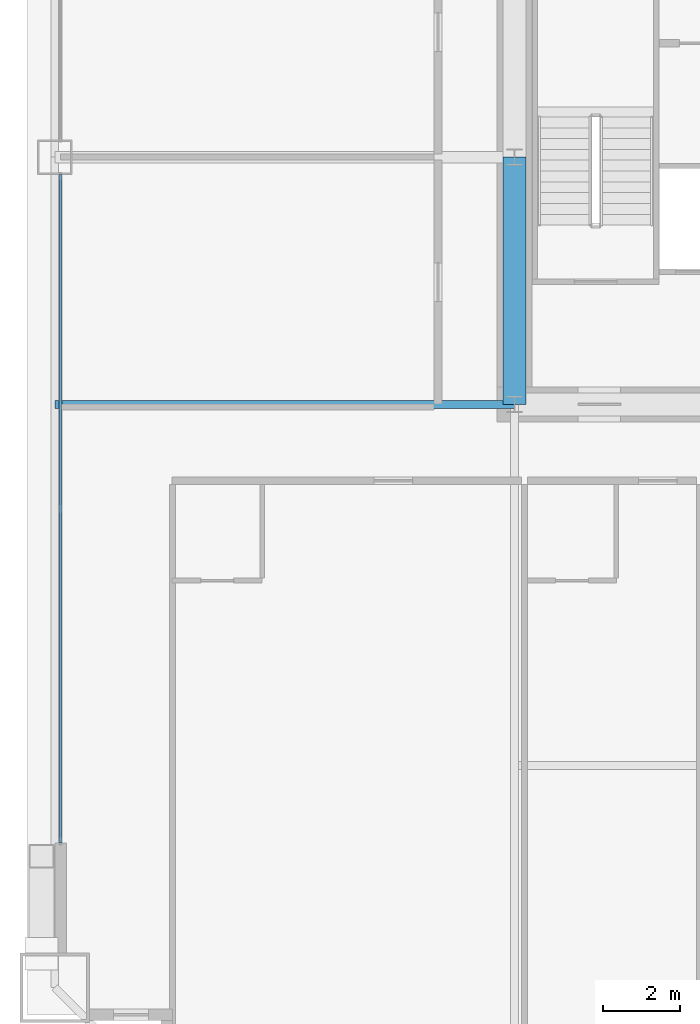
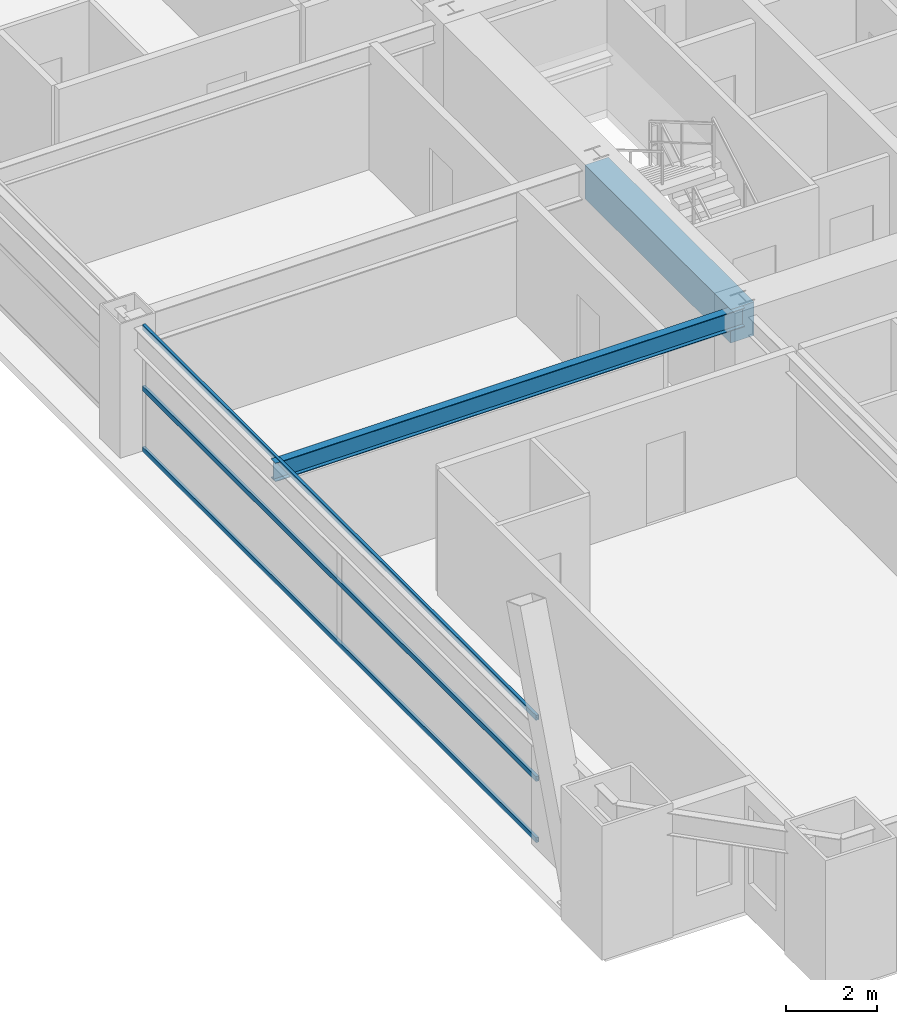
# One storey, part 10 of 43: 3 members, 2 beams, 1 element without a shape of its own.
"""IFC4 building model written with IfcOpenShell, lengths in metres."""

from ifc_helpers import new_model, si_unit, direction, frame, origin, origin_2d, place, context, subcontext, project, spatial, rectangle, hollow_rectangle, i_section, extrude, source, transform, mapped, material, layer, layer_set, material_profile, profile_set, type_object, element, aggregate, save


model = new_model("IFC4")

# Units and contexts
model_context = context("Model", 3, precision=1e-05, world=origin(), true_north=direction((0.0, 1.0)))
body_context = subcontext(model_context, "Body", "Model", "MODEL_VIEW")
ifc_project = project(units=[si_unit("LENGTHUNIT", "METRE"), si_unit("AREAUNIT", "SQUARE_METRE"), si_unit("VOLUMEUNIT", "CUBIC_METRE"), si_unit("PLANEANGLEUNIT", "RADIAN"), si_unit("MASSUNIT", "GRAM", prefix="KILO"), si_unit("THERMODYNAMICTEMPERATUREUNIT", "KELVIN"), si_unit("POWERUNIT", "WATT")], contexts=[model_context])

# Site, building, storey
site_placement = place(None, origin())
site = spatial("IfcSite", under=ifc_project, at=site_placement, CompositionType="ELEMENT")
building_placement = place(site_placement, origin())
building = spatial("IfcBuilding", under=site, at=building_placement, Name="Yuzanri Waterfront Tower", CompositionType="ELEMENT")
storey_placement = place(building_placement, frame((0.0, 0.0, 74.800048828125)))
storey = spatial("IfcBuildingStorey", under=building, at=storey_placement, Name="L19", CompositionType="ELEMENT", Elevation=74.800048828125)

# Beams
ifc_material_1 = material(Name="Concrete C60", Category="concrete")
ifc_material_profile_1 = material_profile(ifc_material_1, rectangle(XDim=0.60009765625, YDim=0.89990234375, at=origin_2d()), Name="RC 600x900")
ifc_profile_set_1 = profile_set([ifc_material_profile_1], Name="Concrete C60")
beam_type_1 = type_object("IfcBeamType", Name="Core Coupling Lintel Concrete C60 600x900", PredefinedType="LINTEL", material=ifc_profile_set_1)
shared_shape_1 = source(origin(), body_context, "Body", "SweptSolid", [
    extrude(rectangle(XDim=0.60009765625, YDim=0.89990234375, at=origin_2d()), origin(), (0.0, 0.0, 1.0), 6.400146484375),
])
beam_1_placement = place(storey_placement, frame((23.800048828125, 19.39990234375, 2.929931640625), z_axis=(0.0, 1.0, 0.0), x_axis=(-1.0, 0.0, 0.0)))
element("IfcBeam", 1, at=beam_1_placement, inside=storey, type_object=beam_type_1, Name="L19 Core Tie Beam CW1", PredefinedType="LINTEL", context=body_context, shape_type="MappedRepresentation", body=[
    mapped(shared_shape_1, transform((0.0, 0.0, 0.0), scale=1.0)),
])
ifc_material_2 = material(Name="Steel Q355B", Category="steel")
ifc_material_profile_2 = material_profile(ifc_material_2, i_section(OverallWidth=0.199951171875, OverallDepth=0.5, WebThickness=0.010009765625, FlangeThickness=0.01611328125, at=origin_2d()), Name="HN 500x200x10x16")
ifc_profile_set_2 = profile_set([ifc_material_profile_2], Name="Steel Q355B")
beam_type_2 = type_object("IfcBeamType", Name="Secondary Floor Beam Q355B HN 500x200", PredefinedType="BEAM", material=ifc_profile_set_2)
shared_shape_2 = source(origin(), body_context, "Body", "SweptSolid", [
    extrude(i_section(OverallWidth=0.199951171875, OverallDepth=0.5, WebThickness=0.010009765625, FlangeThickness=0.01611328125, at=origin_2d()), origin(), (0.0, 0.0, 1.0), 11.900146484375),
])
beam_2_placement = place(storey_placement, frame((23.800048828125, 19.39990234375, 3.1298828125), z_axis=(-1.0, 0.0, 0.0), x_axis=(0.0, -1.0, 0.0)))
element("IfcBeam", 2, at=beam_2_placement, inside=storey, type_object=beam_type_2, Name="L19 West-South Core Line Beam", PredefinedType="BEAM", context=body_context, shape_type="MappedRepresentation", body=[
    mapped(shared_shape_2, transform((0.0, 0.0, 0.0), scale=1.0)),
])

# Curtain wall, members
ifc_material_3 = material(Name="Anodized Architectural Bronze", Category="metal")
ifc_layer = layer(ifc_material_3, 0.159912109375)
ifc_layer_set = layer_set([ifc_layer], Name="Anodized Architectural Bronze")
curtain_wall_type = type_object("IfcCurtainWallType", Name="Anodized Bronze Hotel Lower-Tier Recessed Unitized Curtain Wall 8100", PredefinedType="NOTDEFINED", material=ifc_layer_set)
curtain_wall_placement = place(storey_placement, origin())
curtain_wall = element("IfcCurtainWall", 3, at=curtain_wall_placement, inside=storey, type_object=curtain_wall_type, Name="L19 Curtain Wall CW-L19-WL", PredefinedType="NOTDEFINED")
ifc_material_4 = material(Name="Anodized Architectural Bronze", Category="metal")
ifc_material_profile_3 = material_profile(ifc_material_4, hollow_rectangle(XDim=0.070068359375, YDim=0.135009765625, WallThickness=0.00341796875, at=origin_2d()), Name="CWT 70x135")
ifc_profile_set_3 = profile_set([ifc_material_profile_3], Name="Anodized Architectural Bronze")
member_type = type_object("IfcMemberType", Name="Anodized Bronze Standard Curtain-Wall Transom 70x135", PredefinedType="USERDEFINED", material=ifc_profile_set_3)
shared_shape_3 = source(origin(), body_context, "Body", "SweptSolid", [
    extrude(hollow_rectangle(XDim=0.070068359375, YDim=0.135009765625, WallThickness=0.00341796875, at=origin_2d()), origin(), (0.0, 0.0, 1.0), 17.300048828125),
])
member_1_placement = place(storey_placement, frame((12.050048828125, 8.050048828125, 0.050048828125), z_axis=(0.0, 1.0, 0.0), x_axis=(-1.0, 0.0, 0.0)))
member_1 = element("IfcMember", 4, at=member_1_placement, type_object=member_type, Name="CW-L19-WL Transom 1", ObjectType="TRANSOM", PredefinedType="USERDEFINED", context=body_context, shape_type="MappedRepresentation", body=[
    mapped(shared_shape_3, transform((0.0, 0.0, 0.0), scale=1.0)),
])
member_2_placement = place(storey_placement, frame((12.050048828125, 8.050048828125, 1.68994140625), z_axis=(0.0, 1.0, 0.0), x_axis=(-1.0, 0.0, 0.0)))
member_2 = element("IfcMember", 5, at=member_2_placement, type_object=member_type, Name="CW-L19-WL Transom 2", ObjectType="TRANSOM", PredefinedType="USERDEFINED", context=body_context, shape_type="MappedRepresentation", body=[
    mapped(shared_shape_3, transform((0.0, 0.0, 0.0), scale=1.0)),
])
member_3_placement = place(storey_placement, frame((12.050048828125, 8.050048828125, 3.329833984375), z_axis=(0.0, 1.0, 0.0), x_axis=(-1.0, 0.0, 0.0)))
member_3 = element("IfcMember", 6, at=member_3_placement, type_object=member_type, Name="CW-L19-WL Transom 3", ObjectType="TRANSOM", PredefinedType="USERDEFINED", context=body_context, shape_type="MappedRepresentation", body=[
    mapped(shared_shape_3, transform((0.0, 0.0, 0.0), scale=1.0)),
])
aggregate(curtain_wall, [member_1, member_2, member_3])

save(model, "model.ifc")
